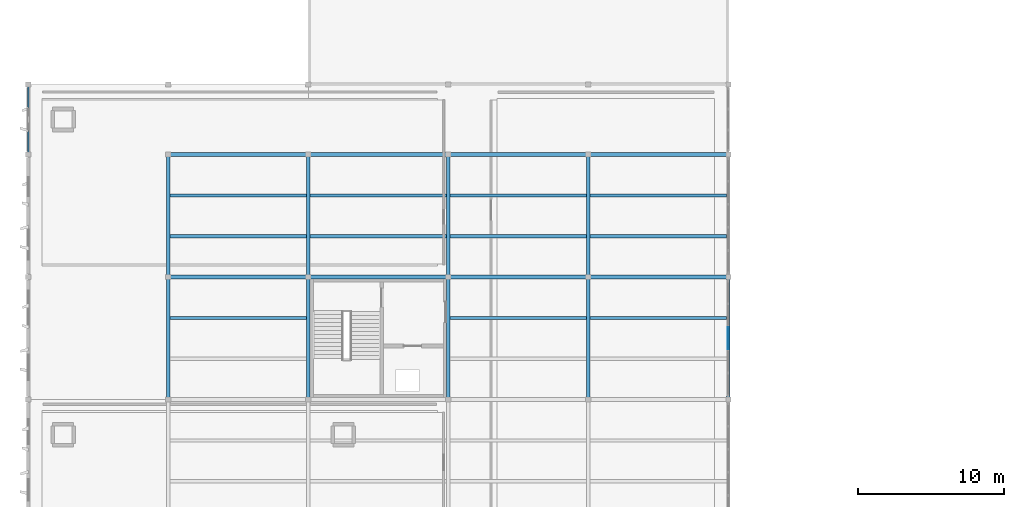
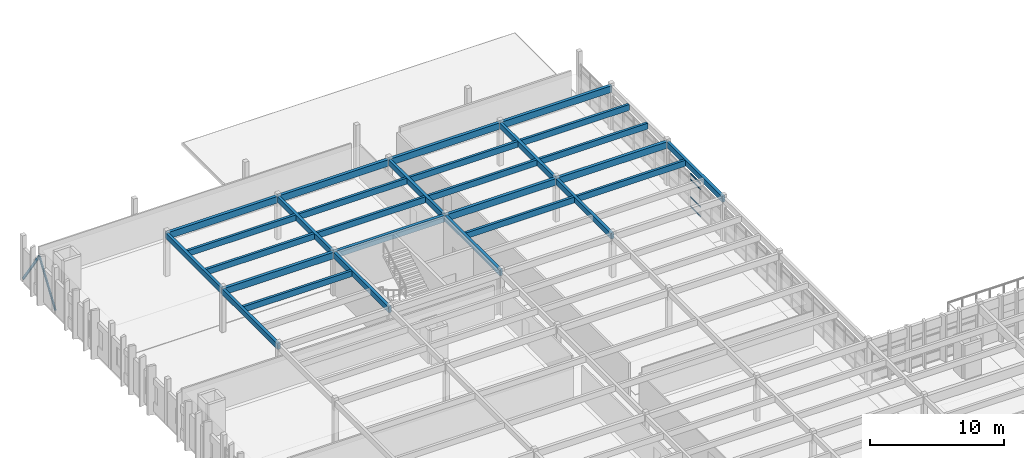
# One storey, part 20 of 61: 28 beams, 6 members, 1 element without a shape of its own.
"""IFC4 building model written with IfcOpenShell, lengths in metres."""

import ifcopenshell
import ifcopenshell.guid

model = None  # the IFC model being written
_history = None  # IfcOwnerHistory: only IFC2X3 demands one
_inside = {}  # id of a spatial element -> (the spatial element, [elements in it])
_under = {}  # id of a project, library or spatial element -> (it, [spatial elements below it])
_declared = {}  # id of a project -> (the project, [libraries it declares])
_typed = {}  # id of a type object -> (the type object, [elements of that type])
_made_of = {}  # id of a material, layer set ... -> (it, [elements and type objects made of it])


def new_model(schema):
    """Start an empty IFC model of exactly this schema.

    Asked for "IFC4X3", IfcOpenShell would pick the latest addendum, in which some entities
    have other attributes; the version numbers below select the first issue.
    IFC2X3 requires an IfcOwnerHistory on every rooted entity: one is made here for all.
    """
    global model, _history
    if schema == "IFC4X3":
        model = ifcopenshell.file(schema_version=(4, 3, 0, 0))
    else:
        model = ifcopenshell.file(schema=schema)
    _inside.clear()
    _under.clear()
    _declared.clear()
    _typed.clear()
    _made_of.clear()
    _history = None
    if model.schema == "IFC2X3":
        org = make("IfcOrganization", Name="unknown")
        user = make(
            "IfcPersonAndOrganization",
            ThePerson=make("IfcPerson", FamilyName="unknown"),
            TheOrganization=org,
        )
        app = make(
            "IfcApplication",
            ApplicationDeveloper=org,
            Version="unknown",
            ApplicationFullName="unknown",
            ApplicationIdentifier="unknown",
        )
        _history = make(
            "IfcOwnerHistory",
            OwningUser=user,
            OwningApplication=app,
            ChangeAction="ADDED",
            CreationDate=0,
        )
    return model


def make(cls, **values):
    """One entity of the class cls with the attributes given. An attribute that is None is left unset."""
    return model.create_entity(
        cls, **{name: value for name, value in values.items() if value is not None}
    )


def rooted(cls, **values):
    """An entity with a GlobalId (a new one), such as an element, a storey or a relation."""
    return make(cls, GlobalId=ifcopenshell.guid.new(), OwnerHistory=_history, **values)


def si_unit(unit_type, name, prefix=None):
    """IfcSIUnit, for example si_unit("LENGTHUNIT", "METRE", prefix="MILLI")."""
    return make("IfcSIUnit", UnitType=unit_type, Prefix=prefix, Name=name)


def assignment(units):
    """IfcUnitAssignment: the units of a project."""
    return None if units is None else make("IfcUnitAssignment", Units=units)


def point(xyz):
    """IfcCartesianPoint."""
    return None if xyz is None else make("IfcCartesianPoint", Coordinates=xyz)


def direction(xyz):
    """IfcDirection."""
    return None if xyz is None else make("IfcDirection", DirectionRatios=xyz)


def frame(location, z_axis=None, x_axis=None):
    """IfcAxis2Placement3D, a coordinate frame: its origin and axes. An axis left out is left unset."""
    return make(
        "IfcAxis2Placement3D",
        Location=point(location),
        Axis=direction(z_axis),
        RefDirection=direction(x_axis),
    )


def frame_2d(location, x_axis=None):
    """IfcAxis2Placement2D, a coordinate frame in the plane: its origin and x axis."""
    return make(
        "IfcAxis2Placement2D", Location=point(location), RefDirection=direction(x_axis)
    )


def origin():
    """The frame at (0, 0, 0) with its axes left unset."""
    return frame((0.0, 0.0, 0.0))


def origin_2d():
    """The frame at (0, 0) in the plane with its x axis left unset."""
    return frame_2d((0.0, 0.0))


def place(relative_to, where):
    """IfcLocalPlacement: puts the frame where relative to a parent placement (None: the world)."""
    return make(
        "IfcLocalPlacement", PlacementRelTo=relative_to, RelativePlacement=where
    )


def context(
    kind, dimensions, precision=None, world=None, true_north=None, identifier=None
):
    """IfcGeometricRepresentationContext, for example the 3D "Model" context."""
    return make(
        "IfcGeometricRepresentationContext",
        ContextIdentifier=identifier,
        ContextType=kind,
        CoordinateSpaceDimension=dimensions,
        Precision=precision,
        WorldCoordinateSystem=world,
        TrueNorth=true_north,
    )


def subcontext(parent, identifier, kind, view, scale=None):
    """IfcGeometricRepresentationSubContext, for example "Body" below "Model"."""
    return make(
        "IfcGeometricRepresentationSubContext",
        ContextIdentifier=identifier,
        ContextType=kind,
        ParentContext=parent,
        TargetScale=scale,
        TargetView=view,
    )


def project(units=None, contexts=None):
    """IfcProject with its units and contexts."""
    return rooted(
        "IfcProject",
        Name="project",
        RepresentationContexts=contexts,
        UnitsInContext=assignment(units),
    )


def spatial(cls, under=None, at=None, **own):
    """A site, building, storey or space (cls), placed at a placement, below another one or the project."""
    s = rooted(cls, ObjectPlacement=at, **own)
    if under is not None:
        _under.setdefault(under.id(), (under, []))[1].append(s)
    return s


def profile(cls, at=None, kind="AREA", **sizes):
    """A parametric profile (cls). Its sizes go by their IFC names, for example OverallWidth=200.0."""
    return make(cls, ProfileType=kind, Position=at, **sizes)


def rectangle(**sizes):
    """IfcRectangleProfileDef."""
    return profile("IfcRectangleProfileDef", **sizes)


def hollow_rectangle(**sizes):
    """IfcRectangleHollowProfileDef."""
    return profile("IfcRectangleHollowProfileDef", **sizes)


def extrude(swept, where, along, depth):
    """IfcExtrudedAreaSolid: the profile swept, set in the frame where, extruded along a direction by depth."""
    return make(
        "IfcExtrudedAreaSolid",
        SweptArea=swept,
        Position=where,
        ExtrudedDirection=direction(along),
        Depth=depth,
    )


def shape(context_of_items, identifier, shape_type, items):
    """IfcShapeRepresentation: the items that make up one representation, for example the "Body"."""
    return make(
        "IfcShapeRepresentation",
        ContextOfItems=context_of_items,
        RepresentationIdentifier=identifier,
        RepresentationType=shape_type,
        Items=items,
    )


def material(Name=None, Category=None):
    """IfcMaterial."""
    return make("IfcMaterial", Name=Name, Category=Category)


def layer(
    of_material, thickness, ventilated=None, Name=None, Category=None, Priority=None
):
    """IfcMaterialLayer: one layer of a wall or slab, of a material (None: an air gap)."""
    return make(
        "IfcMaterialLayer",
        Material=of_material,
        LayerThickness=thickness,
        IsVentilated=ventilated,
        Name=Name,
        Category=Category,
        Priority=Priority,
    )


def layer_set(layers, Name=None):
    """IfcMaterialLayerSet."""
    return make("IfcMaterialLayerSet", MaterialLayers=layers, LayerSetName=Name)


def material_profile(
    of_material, cross_section, Name=None, Category=None, Priority=None
):
    """IfcMaterialProfile: a cross section and its material."""
    return make(
        "IfcMaterialProfile",
        Name=Name,
        Material=of_material,
        Profile=cross_section,
        Priority=Priority,
        Category=Category,
    )


def profile_set(profiles, Name=None, composite=None):
    """IfcMaterialProfileSet."""
    return make(
        "IfcMaterialProfileSet",
        Name=Name,
        MaterialProfiles=profiles,
        CompositeProfile=composite,
    )


def made_of(thing, what):
    """Note that an element or type object is made of a material, layer set ...; save() writes the relation."""
    if what is not None:
        _made_of.setdefault(what.id(), (what, []))[1].append(thing)
    return thing


def type_object(cls, material=None, **own):
    """A type object (cls), such as IfcWallType, which elements share."""
    return made_of(rooted(cls, **own), material)


def element(
    cls,
    number,
    at=None,
    inside=None,
    cuts=None,
    type_object=None,
    material=None,
    context=None,
    identifier="Body",
    shape_type=None,
    held_by="IfcProductDefinitionShape",
    body=None,
    shapes=None,
    **own,
):
    """One element of the class cls, such as IfcWall. Its Tag is "e" and its number.

    at: its placement. inside: the storey or other place that contains it. cuts: it is an
    opening in that element (IfcRelVoidsElement). A single representation is given by context,
    identifier, shape_type and body (its items); several are given by shapes. held_by: the class
    of the entity that holds the representations. save() writes the other relations.
    """
    e = rooted(cls, Tag="e%d" % number, ObjectPlacement=at, **own)
    if body is not None:
        shapes = [shape(context, identifier, shape_type, body)]
    if shapes is not None:
        e.Representation = make(held_by, Representations=shapes)
    if inside is not None:
        _inside.setdefault(inside.id(), (inside, []))[1].append(e)
    if cuts is not None:
        rooted(
            "IfcRelVoidsElement", RelatingBuildingElement=cuts, RelatedOpeningElement=e
        )
    if type_object is not None:
        _typed.setdefault(type_object.id(), (type_object, []))[1].append(e)
    return made_of(e, material)


def aggregate(whole, parts):
    """IfcRelAggregates: a whole, such as a stair, and the parts it consists of."""
    return rooted("IfcRelAggregates", RelatingObject=whole, RelatedObjects=parts)


def save(model, path):
    """Write the relations noted so far, then the file.

    IfcRelAggregates (storeys below a building ...), IfcRelContainedInSpatialStructure (elements
    in a storey), IfcRelDefinesByType, IfcRelAssociatesMaterial and IfcRelDeclares: one each for
    every whole, place, type object, material and project.
    """
    for whole, parts in _under.values():
        aggregate(whole, parts)
    for where, things in _inside.values():
        rooted(
            "IfcRelContainedInSpatialStructure",
            RelatedElements=things,
            RelatingStructure=where,
        )
    for kind, things in _typed.values():
        rooted("IfcRelDefinesByType", RelatedObjects=things, RelatingType=kind)
    for what, things in _made_of.values():
        rooted("IfcRelAssociatesMaterial", RelatedObjects=things, RelatingMaterial=what)
    for by, libraries in _declared.values():
        rooted("IfcRelDeclares", RelatingContext=by, RelatedDefinitions=libraries)
    model.write(path)


model = new_model("IFC4")

# Units and contexts
model_context = context("Model", 3, precision=1e-05, world=origin(), true_north=direction((0.0, 1.0)))
body_context = subcontext(model_context, "Body", "Model", "MODEL_VIEW")
ifc_project = project(units=[si_unit("LENGTHUNIT", "METRE"), si_unit("AREAUNIT", "SQUARE_METRE"), si_unit("VOLUMEUNIT", "CUBIC_METRE"), si_unit("PLANEANGLEUNIT", "RADIAN"), si_unit("MASSUNIT", "GRAM", prefix="KILO")], contexts=[model_context])

# Site, building, storey
site_placement = place(None, origin())
site = spatial("IfcSite", under=ifc_project, at=site_placement, CompositionType="ELEMENT")
building_placement = place(site_placement, origin())
building = spatial("IfcBuilding", under=site, at=building_placement, Name="Kolvemor Railside Polytechnic", CompositionType="ELEMENT")
storey_placement = place(building_placement, frame((0.0, 0.0, 10.199951171875)))
storey = spatial("IfcBuildingStorey", under=building, at=storey_placement, Name="L02", CompositionType="ELEMENT", Elevation=10.199951171875)

# Beams
ifc_material_1 = material(Name="Glulam GL28h", Category="wood")
ifc_material_profile_1 = material_profile(ifc_material_1, rectangle(XDim=0.264892578125, YDim=0.60009765625, at=origin_2d()), Name="GL265x600")
ifc_profile_set_1 = profile_set([ifc_material_profile_1], Name="Glulam GL28h")
beam_type_1 = type_object("IfcBeamType", Name="BM-GL-GIRD7", PredefinedType="BEAM", material=ifc_profile_set_1)
beam_1_placement = place(storey_placement, frame((9.60009765625, 68.39990234375, 3.650146484375), z_axis=(1.0, 0.0, 0.0), x_axis=(0.0, 1.0, 0.0)))
element("IfcBeam", 1, at=beam_1_placement, inside=storey, type_object=beam_type_1, Name="Primary Girder L03-GX 1121", PredefinedType="BEAM", context=body_context, shape_type="SweptSolid", body=[
    extrude(rectangle(XDim=0.264892578125, YDim=0.60009765625, at=origin_2d()), origin(), (0.0, 0.0, 1.0), 9.599853515625),
])
beam_2_placement = place(storey_placement, frame((19.199951171875, 68.39990234375, 3.650146484375), z_axis=(1.0, 0.0, 0.0), x_axis=(0.0, 1.0, 0.0)))
element("IfcBeam", 2, at=beam_2_placement, inside=storey, type_object=beam_type_1, Name="Primary Girder L03-GX 1122", PredefinedType="BEAM", context=body_context, shape_type="SweptSolid", body=[
    extrude(rectangle(XDim=0.264892578125, YDim=0.60009765625, at=origin_2d()), origin(), (0.0, 0.0, 1.0), 9.60009765625),
])
beam_3_placement = place(storey_placement, frame((28.800048828125, 68.39990234375, 3.650146484375), z_axis=(1.0, 0.0, 0.0), x_axis=(0.0, 1.0, 0.0)))
element("IfcBeam", 3, at=beam_3_placement, inside=storey, type_object=beam_type_1, Name="Primary Girder L03-GX 1123", PredefinedType="BEAM", context=body_context, shape_type="SweptSolid", body=[
    extrude(rectangle(XDim=0.264892578125, YDim=0.60009765625, at=origin_2d()), origin(), (0.0, 0.0, 1.0), 9.599853515625),
])
beam_4_placement = place(storey_placement, frame((38.39990234375, 68.39990234375, 3.650146484375), z_axis=(1.0, 0.0, 0.0), x_axis=(0.0, 1.0, 0.0)))
element("IfcBeam", 4, at=beam_4_placement, inside=storey, type_object=beam_type_1, Name="Primary Girder L03-GX 1124", PredefinedType="BEAM", context=body_context, shape_type="SweptSolid", body=[
    extrude(rectangle(XDim=0.264892578125, YDim=0.60009765625, at=origin_2d()), origin(), (0.0, 0.0, 1.0), 9.60009765625),
])
beam_5_placement = place(storey_placement, frame((9.60009765625, 76.800048828125, 3.650146484375), z_axis=(1.0, 0.0, 0.0), x_axis=(0.0, 1.0, 0.0)))
element("IfcBeam", 5, at=beam_5_placement, inside=storey, type_object=beam_type_1, Name="Primary Girder L03-GX 1125", PredefinedType="BEAM", context=body_context, shape_type="SweptSolid", body=[
    extrude(rectangle(XDim=0.264892578125, YDim=0.60009765625, at=origin_2d()), origin(), (0.0, 0.0, 1.0), 9.599853515625),
])
beam_6_placement = place(storey_placement, frame((19.199951171875, 76.800048828125, 3.650146484375), z_axis=(1.0, 0.0, 0.0), x_axis=(0.0, 1.0, 0.0)))
element("IfcBeam", 6, at=beam_6_placement, inside=storey, type_object=beam_type_1, Name="Primary Girder L03-GX 1126", PredefinedType="BEAM", context=body_context, shape_type="SweptSolid", body=[
    extrude(rectangle(XDim=0.264892578125, YDim=0.60009765625, at=origin_2d()), origin(), (0.0, 0.0, 1.0), 9.60009765625),
])
beam_7_placement = place(storey_placement, frame((28.800048828125, 76.800048828125, 3.650146484375), z_axis=(1.0, 0.0, 0.0), x_axis=(0.0, 1.0, 0.0)))
element("IfcBeam", 7, at=beam_7_placement, inside=storey, type_object=beam_type_1, Name="Primary Girder L03-GX 1127", PredefinedType="BEAM", context=body_context, shape_type="SweptSolid", body=[
    extrude(rectangle(XDim=0.264892578125, YDim=0.60009765625, at=origin_2d()), origin(), (0.0, 0.0, 1.0), 9.599853515625),
])
beam_8_placement = place(storey_placement, frame((38.39990234375, 76.800048828125, 3.650146484375), z_axis=(1.0, 0.0, 0.0), x_axis=(0.0, 1.0, 0.0)))
element("IfcBeam", 8, at=beam_8_placement, inside=storey, type_object=beam_type_1, Name="Primary Girder L03-GX 1128", PredefinedType="BEAM", context=body_context, shape_type="SweptSolid", body=[
    extrude(rectangle(XDim=0.264892578125, YDim=0.60009765625, at=origin_2d()), origin(), (0.0, 0.0, 1.0), 9.60009765625),
])
ifc_material_2 = material(Name="Glulam GL28h", Category="wood")
ifc_material_profile_2 = material_profile(ifc_material_2, rectangle(XDim=0.239990234375, YDim=0.52001953125, at=origin_2d()), Name="GL240x520")
ifc_profile_set_2 = profile_set([ifc_material_profile_2], Name="Glulam GL28h")
beam_type_2 = type_object("IfcBeamType", Name="BM-GL-GIRD8", PredefinedType="BEAM", material=ifc_profile_set_2)
beam_9_placement = place(storey_placement, frame((9.60009765625, 60.0, 3.68994140625), z_axis=(0.0, 1.0, 0.0), x_axis=(-1.0, 0.0, 0.0)))
element("IfcBeam", 9, at=beam_9_placement, inside=storey, type_object=beam_type_2, Name="Primary Girder L03-GY 1134", PredefinedType="BEAM", context=body_context, shape_type="SweptSolid", body=[
    extrude(rectangle(XDim=0.239990234375, YDim=0.52001953125, at=origin_2d()), origin(), (0.0, 0.0, 1.0), 8.39990234375),
])
beam_10_placement = place(storey_placement, frame((9.60009765625, 68.39990234375, 3.68994140625), z_axis=(0.0, 1.0, 0.0), x_axis=(-1.0, 0.0, 0.0)))
element("IfcBeam", 10, at=beam_10_placement, inside=storey, type_object=beam_type_2, Name="Primary Girder L03-GY 1135", PredefinedType="BEAM", context=body_context, shape_type="SweptSolid", body=[
    extrude(rectangle(XDim=0.239990234375, YDim=0.52001953125, at=origin_2d()), origin(), (0.0, 0.0, 1.0), 8.400146484375),
])
beam_11_placement = place(storey_placement, frame((19.199951171875, 60.0, 3.68994140625), z_axis=(0.0, 1.0, 0.0), x_axis=(-1.0, 0.0, 0.0)))
element("IfcBeam", 11, at=beam_11_placement, inside=storey, type_object=beam_type_2, Name="Primary Girder L03-GY 1141", PredefinedType="BEAM", context=body_context, shape_type="SweptSolid", body=[
    extrude(rectangle(XDim=0.239990234375, YDim=0.52001953125, at=origin_2d()), origin(), (0.0, 0.0, 1.0), 8.39990234375),
])
beam_12_placement = place(storey_placement, frame((19.199951171875, 68.39990234375, 3.68994140625), z_axis=(0.0, 1.0, 0.0), x_axis=(-1.0, 0.0, 0.0)))
element("IfcBeam", 12, at=beam_12_placement, inside=storey, type_object=beam_type_2, Name="Primary Girder L03-GY 1142", PredefinedType="BEAM", context=body_context, shape_type="SweptSolid", body=[
    extrude(rectangle(XDim=0.239990234375, YDim=0.52001953125, at=origin_2d()), origin(), (0.0, 0.0, 1.0), 8.400146484375),
])
beam_13_placement = place(storey_placement, frame((28.800048828125, 60.0, 3.68994140625), z_axis=(0.0, 1.0, 0.0), x_axis=(-1.0, 0.0, 0.0)))
element("IfcBeam", 13, at=beam_13_placement, inside=storey, type_object=beam_type_2, Name="Primary Girder L03-GY 1148", PredefinedType="BEAM", context=body_context, shape_type="SweptSolid", body=[
    extrude(rectangle(XDim=0.239990234375, YDim=0.52001953125, at=origin_2d()), origin(), (0.0, 0.0, 1.0), 8.39990234375),
])
beam_14_placement = place(storey_placement, frame((28.800048828125, 68.39990234375, 3.68994140625), z_axis=(0.0, 1.0, 0.0), x_axis=(-1.0, 0.0, 0.0)))
element("IfcBeam", 14, at=beam_14_placement, inside=storey, type_object=beam_type_2, Name="Primary Girder L03-GY 1149", PredefinedType="BEAM", context=body_context, shape_type="SweptSolid", body=[
    extrude(rectangle(XDim=0.239990234375, YDim=0.52001953125, at=origin_2d()), origin(), (0.0, 0.0, 1.0), 8.400146484375),
])
beam_15_placement = place(storey_placement, frame((38.39990234375, 60.0, 3.68994140625), z_axis=(0.0, 1.0, 0.0), x_axis=(-1.0, 0.0, 0.0)))
element("IfcBeam", 15, at=beam_15_placement, inside=storey, type_object=beam_type_2, Name="Primary Girder L03-GY 1155", PredefinedType="BEAM", context=body_context, shape_type="SweptSolid", body=[
    extrude(rectangle(XDim=0.239990234375, YDim=0.52001953125, at=origin_2d()), origin(), (0.0, 0.0, 1.0), 8.39990234375),
])
beam_16_placement = place(storey_placement, frame((38.39990234375, 68.39990234375, 3.68994140625), z_axis=(0.0, 1.0, 0.0), x_axis=(-1.0, 0.0, 0.0)))
element("IfcBeam", 16, at=beam_16_placement, inside=storey, type_object=beam_type_2, Name="Primary Girder L03-GY 1156", PredefinedType="BEAM", context=body_context, shape_type="SweptSolid", body=[
    extrude(rectangle(XDim=0.239990234375, YDim=0.52001953125, at=origin_2d()), origin(), (0.0, 0.0, 1.0), 8.400146484375),
])
beam_17_placement = place(storey_placement, frame((48.0, 60.0, 3.68994140625), z_axis=(0.0, 1.0, 0.0), x_axis=(-1.0, 0.0, 0.0)))
element("IfcBeam", 17, at=beam_17_placement, inside=storey, type_object=beam_type_2, Name="Primary Girder L03-GY 1162", PredefinedType="BEAM", context=body_context, shape_type="SweptSolid", body=[
    extrude(rectangle(XDim=0.239990234375, YDim=0.52001953125, at=origin_2d()), origin(), (0.0, 0.0, 1.0), 8.39990234375),
])
ifc_material_3 = material(Name="Glulam GL28h", Category="wood")
ifc_material_profile_3 = material_profile(ifc_material_3, rectangle(XDim=0.215087890625, YDim=0.5400390625, at=origin_2d()), Name="GL215x540")
ifc_profile_set_3 = profile_set([ifc_material_profile_3], Name="Glulam GL28h")
beam_type_3 = type_object("IfcBeamType", Name="BM-GL-JST1", PredefinedType="JOIST", material=ifc_profile_set_3)
for number, where, z_axis, x_axis, name in (
    (18, (9.719970703125, 65.60009765625, 3.679931640625), (1.0, 0.0, 0.0), (0.0, 1.0, 0.0), "Floor Joist L03-J1175"),
    (19, (9.719970703125, 71.199951171875, 3.679931640625), (1.0, 0.0, 0.0), (0.0, 1.0, 0.0), "Floor Joist L03-J1176"),
    (20, (9.719970703125, 74.0, 3.679931640625), (1.0, 0.0, 0.0), (0.0, 1.0, 0.0), "Floor Joist L03-J1177"),
):
    element("IfcBeam", number, at=place(storey_placement, frame(where, z_axis=z_axis, x_axis=x_axis)), inside=storey, type_object=beam_type_3, Name=name, PredefinedType="JOIST", context=body_context, shape_type="SweptSolid", body=[
        extrude(rectangle(XDim=0.215087890625, YDim=0.5400390625, at=origin_2d()), origin(), (0.0, 0.0, 1.0), 9.360107421875),
    ])
for number, where, z_axis, x_axis, name in (
    (21, (19.320068359375, 71.199951171875, 3.679931640625), (1.0, 0.0, 0.0), (0.0, 1.0, 0.0), "Floor Joist L03-J1186"),
    (22, (19.320068359375, 74.0, 3.679931640625), (1.0, 0.0, 0.0), (0.0, 1.0, 0.0), "Floor Joist L03-J1187"),
):
    element("IfcBeam", number, at=place(storey_placement, frame(where, z_axis=z_axis, x_axis=x_axis)), inside=storey, type_object=beam_type_3, Name=name, PredefinedType="JOIST", context=body_context, shape_type="SweptSolid", body=[
        extrude(rectangle(XDim=0.215087890625, YDim=0.5400390625, at=origin_2d()), origin(), (0.0, 0.0, 1.0), 9.35986328125),
    ])
for number, where, z_axis, x_axis, name in (
    (23, (28.919921875, 65.60009765625, 3.679931640625), (1.0, 0.0, 0.0), (0.0, 1.0, 0.0), "Floor Joist L03-J1199"),
    (24, (28.919921875, 71.199951171875, 3.679931640625), (1.0, 0.0, 0.0), (0.0, 1.0, 0.0), "Floor Joist L03-J1200"),
    (25, (28.919921875, 74.0, 3.679931640625), (1.0, 0.0, 0.0), (0.0, 1.0, 0.0), "Floor Joist L03-J1201"),
):
    element("IfcBeam", number, at=place(storey_placement, frame(where, z_axis=z_axis, x_axis=x_axis)), inside=storey, type_object=beam_type_3, Name=name, PredefinedType="JOIST", context=body_context, shape_type="SweptSolid", body=[
        extrude(rectangle(XDim=0.215087890625, YDim=0.5400390625, at=origin_2d()), origin(), (0.0, 0.0, 1.0), 9.360107421875),
    ])
for number, where, z_axis, x_axis, name in (
    (26, (38.52001953125, 65.60009765625, 3.679931640625), (1.0, 0.0, 0.0), (0.0, 1.0, 0.0), "Floor Joist L03-J1213"),
    (27, (38.52001953125, 71.199951171875, 3.679931640625), (1.0, 0.0, 0.0), (0.0, 1.0, 0.0), "Floor Joist L03-J1214"),
    (28, (38.52001953125, 74.0, 3.679931640625), (1.0, 0.0, 0.0), (0.0, 1.0, 0.0), "Floor Joist L03-J1215"),
):
    element("IfcBeam", number, at=place(storey_placement, frame(where, z_axis=z_axis, x_axis=x_axis)), inside=storey, type_object=beam_type_3, Name=name, PredefinedType="JOIST", context=body_context, shape_type="SweptSolid", body=[
        extrude(rectangle(XDim=0.215087890625, YDim=0.5400390625, at=origin_2d()), origin(), (0.0, 0.0, 1.0), 9.35986328125),
    ])

# Curtain wall, members
ifc_material_4 = material(Name="Anodised marine aluminium and laminated low-E glass", Category="aluminium")
ifc_layer = layer(ifc_material_4, 0.179931640625, Name="CW-UNIT-STD")
ifc_layer_set = layer_set([ifc_layer], Name="Anodised marine aluminium and laminated low-E glass")
curtain_wall_type = type_object("IfcCurtainWallType", Name="CW-UNIT-STD", PredefinedType="USERDEFINED", material=ifc_layer_set)
curtain_wall_placement = place(storey_placement, origin())
curtain_wall = element("IfcCurtainWall", 29, at=curtain_wall_placement, inside=storey, type_object=curtain_wall_type, Name="Curtain Wall L02-077", ObjectType="UNITISED CURTAIN WALL", PredefinedType="USERDEFINED")
ifc_material_5 = material(Name="Anodised marine aluminium 6063-T6", Category="aluminium")
ifc_material_profile_4 = material_profile(ifc_material_5, rectangle(XDim=0.06494140625, YDim=0.1201171875, at=origin_2d()), Name="CW-TRN-65x120")
ifc_profile_set_4 = profile_set([ifc_material_profile_4], Name="Anodised marine aluminium 6063-T6")
member_type_1 = type_object("IfcMemberType", Name="CWT-65x120", PredefinedType="USERDEFINED", material=ifc_profile_set_4)
member_1_placement = place(storey_placement, frame((48.0, 63.4404296875, 0.032470703125), z_axis=(0.0, 1.0, 0.0), x_axis=(-1.0, 0.0, 0.0)))
member_1 = element("IfcMember", 30, at=member_1_placement, type_object=member_type_1, Name="CW-STD transom 3.1", ObjectType="TRANSOM", PredefinedType="USERDEFINED", context=body_context, shape_type="SweptSolid", body=[
    extrude(rectangle(XDim=0.06494140625, YDim=0.1201171875, at=origin_2d()), origin(), (0.0, 0.0, 1.0), 1.51904296875),
])
member_2_placement = place(storey_placement, frame((48.0, 63.4404296875, 0.900146484375), z_axis=(0.0, 1.0, 0.0), x_axis=(-1.0, 0.0, 0.0)))
member_2 = element("IfcMember", 31, at=member_2_placement, type_object=member_type_1, Name="CW-STD transom 3.2", ObjectType="TRANSOM", PredefinedType="USERDEFINED", context=body_context, shape_type="SweptSolid", body=[
    extrude(rectangle(XDim=0.06494140625, YDim=0.1201171875, at=origin_2d()), origin(), (0.0, 0.0, 1.0), 1.51904296875),
])
member_3_placement = place(storey_placement, frame((48.0, 63.4404296875, 2.5), z_axis=(0.0, 1.0, 0.0), x_axis=(-1.0, 0.0, 0.0)))
member_3 = element("IfcMember", 32, at=member_3_placement, type_object=member_type_1, Name="CW-STD transom 3.3", ObjectType="TRANSOM", PredefinedType="USERDEFINED", context=body_context, shape_type="SweptSolid", body=[
    extrude(rectangle(XDim=0.06494140625, YDim=0.1201171875, at=origin_2d()), origin(), (0.0, 0.0, 1.0), 1.51904296875),
])
member_4_placement = place(storey_placement, frame((48.0, 63.4404296875, 3.017578125), z_axis=(0.0, 1.0, 0.0), x_axis=(-1.0, 0.0, 0.0)))
member_4 = element("IfcMember", 33, at=member_4_placement, type_object=member_type_1, Name="CW-STD transom 3.4", ObjectType="TRANSOM", PredefinedType="USERDEFINED", context=body_context, shape_type="SweptSolid", body=[
    extrude(rectangle(XDim=0.06494140625, YDim=0.1201171875, at=origin_2d()), origin(), (0.0, 0.0, 1.0), 1.51904296875),
])
aggregate(curtain_wall, [member_1, member_2, member_3, member_4])

# Members
ifc_material_6 = material(Name="Steel S355", Category="steel")
ifc_material_profile_5 = material_profile(ifc_material_6, hollow_rectangle(XDim=0.1201171875, YDim=0.199951171875, WallThickness=0.008056640625, InnerFilletRadius=0.008056640625, OuterFilletRadius=0.01611328125, at=origin_2d()), Name="HSS200x120x8")
ifc_profile_set_5 = profile_set([ifc_material_profile_5], Name="Steel S355")
member_type_2 = type_object("IfcMemberType", Name="MEM-BR-HSS2", PredefinedType="BRACE", material=ifc_profile_set_5)
member_5_placement = place(storey_placement, frame((0.0, 76.800048828125, 0.150146484375), z_axis=(0.0, 0.5655127034, 0.824739584531), x_axis=(-1.0, 0.0, 0.0)))
element("IfcMember", 34, at=member_5_placement, inside=storey, type_object=member_type_2, Name="Wind Chevron Brace BR-17A", PredefinedType="BRACE", context=body_context, shape_type="SweptSolid", body=[
    extrude(hollow_rectangle(XDim=0.1201171875, YDim=0.199951171875, WallThickness=0.008056640625, InnerFilletRadius=0.008056640625, OuterFilletRadius=0.01611328125, at=origin_2d()), origin(), (0.0, 0.0, 1.0), 4.24365234375),
])
member_6_placement = place(storey_placement, frame((0.0, 81.60009765625, 0.150146484375), z_axis=(0.0, -0.565551832633, 0.824712752785), x_axis=(1.0, 0.0, 0.0)))
element("IfcMember", 35, at=member_6_placement, inside=storey, type_object=member_type_2, Name="Wind Chevron Brace BR-17B", PredefinedType="BRACE", context=body_context, shape_type="SweptSolid", body=[
    extrude(hollow_rectangle(XDim=0.1201171875, YDim=0.199951171875, WallThickness=0.008056640625, InnerFilletRadius=0.008056640625, OuterFilletRadius=0.01611328125, at=origin_2d()), origin(), (0.0, 0.0, 1.0), 4.243896484375),
])

save(model, "model.ifc")
